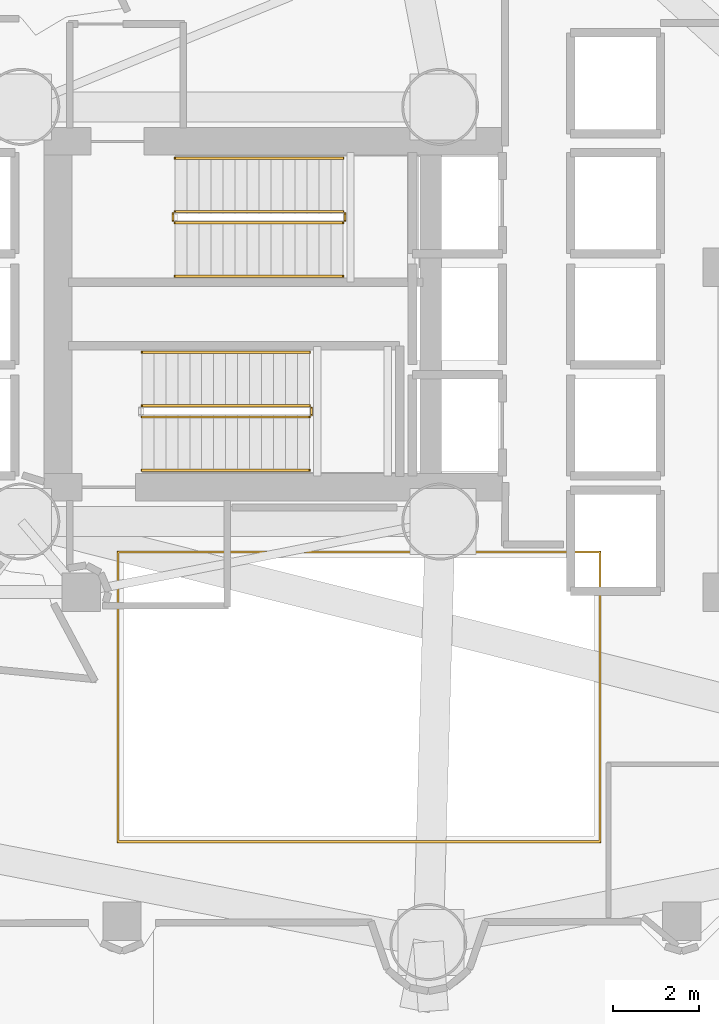
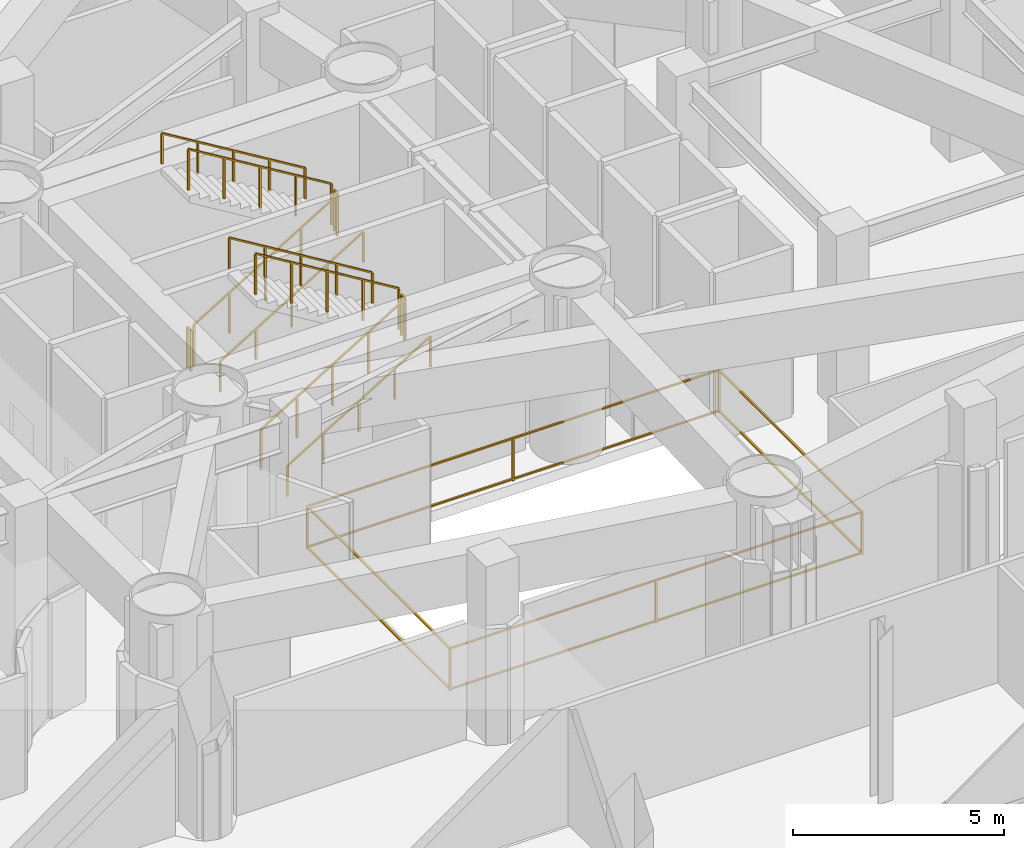
# One storey, part 37 of 40: 12 railings.
"""IFC4 building model written with IfcOpenShell, lengths in metres."""

import ifcopenshell
import ifcopenshell.guid

model = None  # the IFC model being written
_history = None  # IfcOwnerHistory: only IFC2X3 demands one
_inside = {}  # id of a spatial element -> (the spatial element, [elements in it])
_under = {}  # id of a project, library or spatial element -> (it, [spatial elements below it])
_declared = {}  # id of a project -> (the project, [libraries it declares])
_typed = {}  # id of a type object -> (the type object, [elements of that type])
_made_of = {}  # id of a material, layer set ... -> (it, [elements and type objects made of it])


def new_model(schema):
    """Start an empty IFC model of exactly this schema.

    Asked for "IFC4X3", IfcOpenShell would pick the latest addendum, in which some entities
    have other attributes; the version numbers below select the first issue.
    IFC2X3 requires an IfcOwnerHistory on every rooted entity: one is made here for all.
    """
    global model, _history
    if schema == "IFC4X3":
        model = ifcopenshell.file(schema_version=(4, 3, 0, 0))
    else:
        model = ifcopenshell.file(schema=schema)
    _inside.clear()
    _under.clear()
    _declared.clear()
    _typed.clear()
    _made_of.clear()
    _history = None
    if model.schema == "IFC2X3":
        org = make("IfcOrganization", Name="unknown")
        user = make(
            "IfcPersonAndOrganization",
            ThePerson=make("IfcPerson", FamilyName="unknown"),
            TheOrganization=org,
        )
        app = make(
            "IfcApplication",
            ApplicationDeveloper=org,
            Version="unknown",
            ApplicationFullName="unknown",
            ApplicationIdentifier="unknown",
        )
        _history = make(
            "IfcOwnerHistory",
            OwningUser=user,
            OwningApplication=app,
            ChangeAction="ADDED",
            CreationDate=0,
        )
    return model


def make(cls, **values):
    """One entity of the class cls with the attributes given. An attribute that is None is left unset."""
    return model.create_entity(
        cls, **{name: value for name, value in values.items() if value is not None}
    )


def rooted(cls, **values):
    """An entity with a GlobalId (a new one), such as an element, a storey or a relation."""
    return make(cls, GlobalId=ifcopenshell.guid.new(), OwnerHistory=_history, **values)


def si_unit(unit_type, name, prefix=None):
    """IfcSIUnit, for example si_unit("LENGTHUNIT", "METRE", prefix="MILLI")."""
    return make("IfcSIUnit", UnitType=unit_type, Prefix=prefix, Name=name)


def assignment(units):
    """IfcUnitAssignment: the units of a project."""
    return None if units is None else make("IfcUnitAssignment", Units=units)


def point(xyz):
    """IfcCartesianPoint."""
    return None if xyz is None else make("IfcCartesianPoint", Coordinates=xyz)


def direction(xyz):
    """IfcDirection."""
    return None if xyz is None else make("IfcDirection", DirectionRatios=xyz)


def frame(location, z_axis=None, x_axis=None):
    """IfcAxis2Placement3D, a coordinate frame: its origin and axes. An axis left out is left unset."""
    return make(
        "IfcAxis2Placement3D",
        Location=point(location),
        Axis=direction(z_axis),
        RefDirection=direction(x_axis),
    )


def frame_2d(location, x_axis=None):
    """IfcAxis2Placement2D, a coordinate frame in the plane: its origin and x axis."""
    return make(
        "IfcAxis2Placement2D", Location=point(location), RefDirection=direction(x_axis)
    )


def origin():
    """The frame at (0, 0, 0) with its axes left unset."""
    return frame((0.0, 0.0, 0.0))


def origin_2d():
    """The frame at (0, 0) in the plane with its x axis left unset."""
    return frame_2d((0.0, 0.0))


def place(relative_to, where):
    """IfcLocalPlacement: puts the frame where relative to a parent placement (None: the world)."""
    return make(
        "IfcLocalPlacement", PlacementRelTo=relative_to, RelativePlacement=where
    )


def context(
    kind, dimensions, precision=None, world=None, true_north=None, identifier=None
):
    """IfcGeometricRepresentationContext, for example the 3D "Model" context."""
    return make(
        "IfcGeometricRepresentationContext",
        ContextIdentifier=identifier,
        ContextType=kind,
        CoordinateSpaceDimension=dimensions,
        Precision=precision,
        WorldCoordinateSystem=world,
        TrueNorth=true_north,
    )


def subcontext(parent, identifier, kind, view, scale=None):
    """IfcGeometricRepresentationSubContext, for example "Body" below "Model"."""
    return make(
        "IfcGeometricRepresentationSubContext",
        ContextIdentifier=identifier,
        ContextType=kind,
        ParentContext=parent,
        TargetScale=scale,
        TargetView=view,
    )


def project(units=None, contexts=None):
    """IfcProject with its units and contexts."""
    return rooted(
        "IfcProject",
        Name="project",
        RepresentationContexts=contexts,
        UnitsInContext=assignment(units),
    )


def spatial(cls, under=None, at=None, **own):
    """A site, building, storey or space (cls), placed at a placement, below another one or the project."""
    s = rooted(cls, ObjectPlacement=at, **own)
    if under is not None:
        _under.setdefault(under.id(), (under, []))[1].append(s)
    return s


def profile(cls, at=None, kind="AREA", **sizes):
    """A parametric profile (cls). Its sizes go by their IFC names, for example OverallWidth=200.0."""
    return make(cls, ProfileType=kind, Position=at, **sizes)


def rectangle(**sizes):
    """IfcRectangleProfileDef."""
    return profile("IfcRectangleProfileDef", **sizes)


def extrude(swept, where, along, depth):
    """IfcExtrudedAreaSolid: the profile swept, set in the frame where, extruded along a direction by depth."""
    return make(
        "IfcExtrudedAreaSolid",
        SweptArea=swept,
        Position=where,
        ExtrudedDirection=direction(along),
        Depth=depth,
    )


def shape(context_of_items, identifier, shape_type, items):
    """IfcShapeRepresentation: the items that make up one representation, for example the "Body"."""
    return make(
        "IfcShapeRepresentation",
        ContextOfItems=context_of_items,
        RepresentationIdentifier=identifier,
        RepresentationType=shape_type,
        Items=items,
    )


def material(Name=None, Category=None):
    """IfcMaterial."""
    return make("IfcMaterial", Name=Name, Category=Category)


def made_of(thing, what):
    """Note that an element or type object is made of a material, layer set ...; save() writes the relation."""
    if what is not None:
        _made_of.setdefault(what.id(), (what, []))[1].append(thing)
    return thing


def type_object(cls, material=None, **own):
    """A type object (cls), such as IfcWallType, which elements share."""
    return made_of(rooted(cls, **own), material)


def element(
    cls,
    number,
    at=None,
    inside=None,
    cuts=None,
    type_object=None,
    material=None,
    context=None,
    identifier="Body",
    shape_type=None,
    held_by="IfcProductDefinitionShape",
    body=None,
    shapes=None,
    **own,
):
    """One element of the class cls, such as IfcWall. Its Tag is "e" and its number.

    at: its placement. inside: the storey or other place that contains it. cuts: it is an
    opening in that element (IfcRelVoidsElement). A single representation is given by context,
    identifier, shape_type and body (its items); several are given by shapes. held_by: the class
    of the entity that holds the representations. save() writes the other relations.
    """
    e = rooted(cls, Tag="e%d" % number, ObjectPlacement=at, **own)
    if body is not None:
        shapes = [shape(context, identifier, shape_type, body)]
    if shapes is not None:
        e.Representation = make(held_by, Representations=shapes)
    if inside is not None:
        _inside.setdefault(inside.id(), (inside, []))[1].append(e)
    if cuts is not None:
        rooted(
            "IfcRelVoidsElement", RelatingBuildingElement=cuts, RelatedOpeningElement=e
        )
    if type_object is not None:
        _typed.setdefault(type_object.id(), (type_object, []))[1].append(e)
    return made_of(e, material)


def aggregate(whole, parts):
    """IfcRelAggregates: a whole, such as a stair, and the parts it consists of."""
    return rooted("IfcRelAggregates", RelatingObject=whole, RelatedObjects=parts)


def save(model, path):
    """Write the relations noted so far, then the file.

    IfcRelAggregates (storeys below a building ...), IfcRelContainedInSpatialStructure (elements
    in a storey), IfcRelDefinesByType, IfcRelAssociatesMaterial and IfcRelDeclares: one each for
    every whole, place, type object, material and project.
    """
    for whole, parts in _under.values():
        aggregate(whole, parts)
    for where, things in _inside.values():
        rooted(
            "IfcRelContainedInSpatialStructure",
            RelatedElements=things,
            RelatingStructure=where,
        )
    for kind, things in _typed.values():
        rooted("IfcRelDefinesByType", RelatedObjects=things, RelatingType=kind)
    for what, things in _made_of.values():
        rooted("IfcRelAssociatesMaterial", RelatedObjects=things, RelatingMaterial=what)
    for by, libraries in _declared.values():
        rooted("IfcRelDeclares", RelatingContext=by, RelatedDefinitions=libraries)
    model.write(path)


model = new_model("IFC4")

# Units and contexts
model_context = context("Model", 3, precision=1e-05, world=origin(), true_north=direction((0.0, 1.0)))
body_context = subcontext(model_context, "Body", "Model", "MODEL_VIEW")
ifc_project = project(units=[si_unit("LENGTHUNIT", "METRE"), si_unit("AREAUNIT", "SQUARE_METRE"), si_unit("VOLUMEUNIT", "CUBIC_METRE"), si_unit("PLANEANGLEUNIT", "RADIAN"), si_unit("MASSUNIT", "GRAM", prefix="KILO")], contexts=[model_context])

# Site, building, storey
site_placement = place(None, origin())
site = spatial("IfcSite", under=ifc_project, at=site_placement, CompositionType="ELEMENT")
building_placement = place(site_placement, origin())
building = spatial("IfcBuilding", under=site, at=building_placement, Name="Qianvela Tower", CompositionType="ELEMENT")
storey_placement = place(building_placement, frame((0.0, 0.0, 20.60009765625)))
storey = spatial("IfcBuildingStorey", under=building, at=storey_placement, Name="L04", CompositionType="ELEMENT", Elevation=20.60009765625)

# Railings
ifc_material_1 = material(Name="Laminated Safety Glass and Stainless Steel 316", Category="steel")
railing_type_1 = type_object("IfcRailingType", Name="RL-ATRIUM-GUARD-1250", PredefinedType="GUARDRAIL", material=ifc_material_1)
railing_1_placement = place(storey_placement, frame((30.860107421875, 16.360107421875, 0.0)))
element("IfcRailing", 1, at=railing_1_placement, inside=storey, type_object=railing_type_1, Name="L04 Atrium Edge Guardrail 1", PredefinedType="GUARDRAIL", context=body_context, shape_type="SweptSolid", body=[
    extrude(rectangle(XDim=0.050048828125, YDim=0.0400390625, at=origin_2d()), frame((0.0, 0.0, 1.22998046875), z_axis=(0.0, 1.0, 0.0), x_axis=(-1.0, 0.0, 0.0)), (0.0, 0.0, 1.0), 6.77978515625),
    extrude(rectangle(XDim=0.050048828125, YDim=0.0400390625, at=origin_2d()), frame((0.0, 0.0, 0.050048828125), z_axis=(0.0, 1.0, 0.0), x_axis=(-1.0, 0.0, 0.0)), (0.0, 0.0, 1.0), 6.77978515625),
    extrude(rectangle(XDim=0.050048828125, YDim=0.0400390625, at=origin_2d()), frame((0.0, 6.77978515625, 1.22998046875), z_axis=(1.0, 0.0, 0.0), x_axis=(0.0, 1.0, 0.0)), (0.0, 0.0, 1.0), 11.27978515625),
    extrude(rectangle(XDim=0.050048828125, YDim=0.0400390625, at=origin_2d()), frame((0.0, 6.77978515625, 0.050048828125), z_axis=(1.0, 0.0, 0.0), x_axis=(0.0, 1.0, 0.0)), (0.0, 0.0, 1.0), 11.27978515625),
    extrude(rectangle(XDim=0.050048828125, YDim=0.0400390625, at=origin_2d()), frame((11.27978515625, 6.77978515625, 1.22998046875), z_axis=(0.0, -1.0, 0.0), x_axis=(1.0, 0.0, 0.0)), (0.0, 0.0, 1.0), 6.77978515625),
    extrude(rectangle(XDim=0.050048828125, YDim=0.0400390625, at=origin_2d()), frame((11.27978515625, 6.77978515625, 0.050048828125), z_axis=(0.0, -1.0, 0.0), x_axis=(1.0, 0.0, 0.0)), (0.0, 0.0, 1.0), 6.77978515625),
    extrude(rectangle(XDim=0.050048828125, YDim=0.0400390625, at=origin_2d()), frame((11.27978515625, 0.0, 1.22998046875), z_axis=(-1.0, 0.0, 0.0), x_axis=(0.0, -1.0, 0.0)), (0.0, 0.0, 1.0), 11.27978515625),
    extrude(rectangle(XDim=0.050048828125, YDim=0.0400390625, at=origin_2d()), frame((11.27978515625, 0.0, 0.050048828125), z_axis=(-1.0, 0.0, 0.0), x_axis=(0.0, -1.0, 0.0)), (0.0, 0.0, 1.0), 11.27978515625),
    extrude(rectangle(XDim=0.050048828125, YDim=0.050048828125, at=origin_2d()), origin(), (0.0, 0.0, 1.0), 1.2099609375),
    extrude(rectangle(XDim=0.050048828125, YDim=0.050048828125, at=origin_2d()), frame((0.0, 6.77978515625, 0.0)), (0.0, 0.0, 1.0), 1.2099609375),
    extrude(rectangle(XDim=0.050048828125, YDim=0.050048828125, at=origin_2d()), frame((5.639892578125, 6.77978515625, 0.0)), (0.0, 0.0, 1.0), 1.2099609375),
    extrude(rectangle(XDim=0.050048828125, YDim=0.050048828125, at=origin_2d()), frame((11.27978515625, 6.77978515625, 0.0)), (0.0, 0.0, 1.0), 1.2099609375),
    extrude(rectangle(XDim=0.050048828125, YDim=0.050048828125, at=origin_2d()), frame((11.27978515625, 0.0, 0.0)), (0.0, 0.0, 1.0), 1.2099609375),
    extrude(rectangle(XDim=0.050048828125, YDim=0.050048828125, at=origin_2d()), frame((5.639892578125, 0.0, 0.0)), (0.0, 0.0, 1.0), 1.2099609375),
])
ifc_material_2 = material(Name="Painted Tubular Steel Q355B", Category="steel")
railing_type_2 = type_object("IfcRailingType", Name="RL-STAIR-GUARD-1200", PredefinedType="GUARDRAIL", material=ifc_material_2)
railing_2_placement = place(storey_placement, frame((32.199951171875, 30.840087890625, 0.169921875)))
element("IfcRailing", 2, at=railing_2_placement, inside=storey, type_object=railing_type_2, Name="L04 ST-1 stair guard 1", PredefinedType="GUARDRAIL", context=body_context, shape_type="SweptSolid", body=[
    extrude(rectangle(XDim=0.050048828125, YDim=0.0400390625, at=origin_2d()), frame((0.0, 0.0, 1.179931640625), z_axis=(0.854808600491, 0.0, 0.518943403973), x_axis=(0.0, 1.0, 0.0)), (0.0, 0.0, 1.0), 4.5859375),
    extrude(rectangle(XDim=0.050048828125, YDim=0.050048828125, at=origin_2d()), origin(), (0.0, 0.0, 1.0), 1.159912109375),
    extrude(rectangle(XDim=0.050048828125, YDim=0.050048828125, at=origin_2d()), frame((0.97998046875, 0.0, 0.594970703125)), (0.0, 0.0, 1.0), 1.159912109375),
    extrude(rectangle(XDim=0.050048828125, YDim=0.050048828125, at=origin_2d()), frame((1.9599609375, 0.0, 1.18994140625)), (0.0, 0.0, 1.0), 1.159912109375),
    extrude(rectangle(XDim=0.050048828125, YDim=0.050048828125, at=origin_2d()), frame((2.940185546875, 0.0, 1.784912109375)), (0.0, 0.0, 1.0), 1.159912109375),
    extrude(rectangle(XDim=0.050048828125, YDim=0.050048828125, at=origin_2d()), frame((3.920166015625, 0.0, 2.3798828125)), (0.0, 0.0, 1.0), 1.159912109375),
])
railing_3_placement = place(storey_placement, frame((36.169921875, 30.889892578125, 2.5498046875)))
element("IfcRailing", 3, at=railing_3_placement, inside=storey, type_object=railing_type_2, Name="L04 ST-1 stair guard 2", PredefinedType="GUARDRAIL", context=body_context, shape_type="SweptSolid", body=[
    extrude(rectangle(XDim=0.050048828125, YDim=0.0400390625, at=origin_2d()), frame((0.0, 0.0, 1.179931640625), z_axis=(0.0, 1.0, 0.0), x_axis=(-1.0, 0.0, 0.0)), (0.0, 0.0, 1.0), 0.16015625),
    extrude(rectangle(XDim=0.050048828125, YDim=0.050048828125, at=origin_2d()), origin(), (0.0, 0.0, 1.0), 1.159912109375),
    extrude(rectangle(XDim=0.050048828125, YDim=0.050048828125, at=origin_2d()), frame((0.0, 0.16015625, 0.0)), (0.0, 0.0, 1.0), 1.159912109375),
])
railing_4_placement = place(storey_placement, frame((36.1201171875, 31.10009765625, 2.719970703125)))
element("IfcRailing", 4, at=railing_4_placement, inside=storey, type_object=railing_type_2, Name="L04 ST-1 stair guard 3", PredefinedType="GUARDRAIL", context=body_context, shape_type="SweptSolid", body=[
    extrude(rectangle(XDim=0.050048828125, YDim=0.0400390625, at=origin_2d()), frame((0.0, 0.0, 1.179931640625), z_axis=(-0.854808600491, 0.0, 0.518943403973), x_axis=(0.0, -1.0, 0.0)), (0.0, 0.0, 1.0), 4.5859375),
    extrude(rectangle(XDim=0.050048828125, YDim=0.050048828125, at=origin_2d()), origin(), (0.0, 0.0, 1.0), 1.159912109375),
    extrude(rectangle(XDim=0.050048828125, YDim=0.050048828125, at=origin_2d()), frame((-0.97998046875, 0.0, 0.594970703125)), (0.0, 0.0, 1.0), 1.159912109375),
    extrude(rectangle(XDim=0.050048828125, YDim=0.050048828125, at=origin_2d()), frame((-1.9599609375, 0.0, 1.18994140625)), (0.0, 0.0, 1.0), 1.159912109375),
    extrude(rectangle(XDim=0.050048828125, YDim=0.050048828125, at=origin_2d()), frame((-2.940185546875, 0.0, 1.784912109375)), (0.0, 0.0, 1.0), 1.159912109375),
    extrude(rectangle(XDim=0.050048828125, YDim=0.050048828125, at=origin_2d()), frame((-3.920166015625, 0.0, 2.3798828125)), (0.0, 0.0, 1.0), 1.159912109375),
])
railing_5_placement = place(storey_placement, frame((32.14990234375, 30.889892578125, 0.0)))
element("IfcRailing", 5, at=railing_5_placement, inside=storey, type_object=railing_type_2, Name="L04 ST-1 stair guard 4", PredefinedType="GUARDRAIL", context=body_context, shape_type="SweptSolid", body=[
    extrude(rectangle(XDim=0.050048828125, YDim=0.0400390625, at=origin_2d()), frame((0.0, 0.0, 1.179931640625), z_axis=(0.0, 1.0, 0.0), x_axis=(-1.0, 0.0, 0.0)), (0.0, 0.0, 1.0), 0.16015625),
    extrude(rectangle(XDim=0.050048828125, YDim=0.050048828125, at=origin_2d()), origin(), (0.0, 0.0, 1.0), 1.159912109375),
    extrude(rectangle(XDim=0.050048828125, YDim=0.050048828125, at=origin_2d()), frame((0.0, 0.16015625, 0.0)), (0.0, 0.0, 1.0), 1.159912109375),
])
railing_6_placement = place(storey_placement, frame((31.419921875, 26.300048828125, 0.169921875)))
element("IfcRailing", 6, at=railing_6_placement, inside=storey, type_object=railing_type_2, Name="L04 ST-2 stair guard 1", PredefinedType="GUARDRAIL", context=body_context, shape_type="SweptSolid", body=[
    extrude(rectangle(XDim=0.050048828125, YDim=0.0400390625, at=origin_2d()), frame((0.0, 0.0, 1.179931640625), z_axis=(0.854808600491, 0.0, 0.518943403973), x_axis=(0.0, 1.0, 0.0)), (0.0, 0.0, 1.0), 4.5859375),
    extrude(rectangle(XDim=0.050048828125, YDim=0.050048828125, at=origin_2d()), origin(), (0.0, 0.0, 1.0), 1.159912109375),
    extrude(rectangle(XDim=0.050048828125, YDim=0.050048828125, at=origin_2d()), frame((0.97998046875, 0.0, 0.594970703125)), (0.0, 0.0, 1.0), 1.159912109375),
    extrude(rectangle(XDim=0.050048828125, YDim=0.050048828125, at=origin_2d()), frame((1.9599609375, 0.0, 1.18994140625)), (0.0, 0.0, 1.0), 1.159912109375),
    extrude(rectangle(XDim=0.050048828125, YDim=0.050048828125, at=origin_2d()), frame((2.940185546875, 0.0, 1.784912109375)), (0.0, 0.0, 1.0), 1.159912109375),
    extrude(rectangle(XDim=0.050048828125, YDim=0.050048828125, at=origin_2d()), frame((3.920166015625, 0.0, 2.3798828125)), (0.0, 0.0, 1.0), 1.159912109375),
])
railing_7_placement = place(storey_placement, frame((35.389892578125, 26.35009765625, 2.5498046875)))
element("IfcRailing", 7, at=railing_7_placement, inside=storey, type_object=railing_type_2, Name="L04 ST-2 stair guard 2", PredefinedType="GUARDRAIL", context=body_context, shape_type="SweptSolid", body=[
    extrude(rectangle(XDim=0.050048828125, YDim=0.0400390625, at=origin_2d()), frame((0.0, 0.0, 1.179931640625), z_axis=(0.0, 1.0, 0.0), x_axis=(-1.0, 0.0, 0.0)), (0.0, 0.0, 1.0), 0.159912109375),
    extrude(rectangle(XDim=0.050048828125, YDim=0.050048828125, at=origin_2d()), origin(), (0.0, 0.0, 1.0), 1.159912109375),
    extrude(rectangle(XDim=0.050048828125, YDim=0.050048828125, at=origin_2d()), frame((0.0, 0.159912109375, 0.0)), (0.0, 0.0, 1.0), 1.159912109375),
])
railing_8_placement = place(storey_placement, frame((35.340087890625, 26.56005859375, 2.719970703125)))
element("IfcRailing", 8, at=railing_8_placement, inside=storey, type_object=railing_type_2, Name="L04 ST-2 stair guard 3", PredefinedType="GUARDRAIL", context=body_context, shape_type="SweptSolid", body=[
    extrude(rectangle(XDim=0.050048828125, YDim=0.0400390625, at=origin_2d()), frame((0.0, 0.0, 1.179931640625), z_axis=(-0.854808600491, 0.0, 0.518943403973), x_axis=(0.0, -1.0, 0.0)), (0.0, 0.0, 1.0), 4.5859375),
    extrude(rectangle(XDim=0.050048828125, YDim=0.050048828125, at=origin_2d()), origin(), (0.0, 0.0, 1.0), 1.159912109375),
    extrude(rectangle(XDim=0.050048828125, YDim=0.050048828125, at=origin_2d()), frame((-0.97998046875, 0.0, 0.594970703125)), (0.0, 0.0, 1.0), 1.159912109375),
    extrude(rectangle(XDim=0.050048828125, YDim=0.050048828125, at=origin_2d()), frame((-1.9599609375, 0.0, 1.18994140625)), (0.0, 0.0, 1.0), 1.159912109375),
    extrude(rectangle(XDim=0.050048828125, YDim=0.050048828125, at=origin_2d()), frame((-2.940185546875, 0.0, 1.784912109375)), (0.0, 0.0, 1.0), 1.159912109375),
    extrude(rectangle(XDim=0.050048828125, YDim=0.050048828125, at=origin_2d()), frame((-3.920166015625, 0.0, 2.3798828125)), (0.0, 0.0, 1.0), 1.159912109375),
])
ifc_material_3 = material(Name="Brushed Stainless Steel 304", Category="steel")
railing_type_3 = type_object("IfcRailingType", Name="RL-STAIR-HANDRAIL-900", PredefinedType="HANDRAIL", material=ifc_material_3)
railing_9_placement = place(storey_placement, frame((32.199951171875, 29.590087890625, 0.169921875)))
element("IfcRailing", 9, at=railing_9_placement, inside=storey, type_object=railing_type_3, Name="L04 ST-1 stair handrail 1", PredefinedType="HANDRAIL", context=body_context, shape_type="SweptSolid", body=[
    extrude(rectangle(XDim=0.050048828125, YDim=0.0400390625, at=origin_2d()), frame((0.0, 0.0, 0.8798828125), z_axis=(0.854808600491, 0.0, 0.518943403973), x_axis=(0.0, 1.0, 0.0)), (0.0, 0.0, 1.0), 4.5859375),
    extrude(rectangle(XDim=0.050048828125, YDim=0.050048828125, at=origin_2d()), origin(), (0.0, 0.0, 1.0), 0.85986328125),
    extrude(rectangle(XDim=0.050048828125, YDim=0.050048828125, at=origin_2d()), frame((0.97998046875, 0.0, 0.594970703125)), (0.0, 0.0, 1.0), 0.85986328125),
    extrude(rectangle(XDim=0.050048828125, YDim=0.050048828125, at=origin_2d()), frame((1.9599609375, 0.0, 1.18994140625)), (0.0, 0.0, 1.0), 0.85986328125),
    extrude(rectangle(XDim=0.050048828125, YDim=0.050048828125, at=origin_2d()), frame((2.940185546875, 0.0, 1.784912109375)), (0.0, 0.0, 1.0), 0.85986328125),
    extrude(rectangle(XDim=0.050048828125, YDim=0.050048828125, at=origin_2d()), frame((3.920166015625, 0.0, 2.3798828125)), (0.0, 0.0, 1.0), 0.85986328125),
])
railing_10_placement = place(storey_placement, frame((36.1201171875, 32.35009765625, 2.719970703125)))
element("IfcRailing", 10, at=railing_10_placement, inside=storey, type_object=railing_type_3, Name="L04 ST-1 stair handrail 2", PredefinedType="HANDRAIL", context=body_context, shape_type="SweptSolid", body=[
    extrude(rectangle(XDim=0.050048828125, YDim=0.0400390625, at=origin_2d()), frame((0.0, 0.0, 0.8798828125), z_axis=(-0.854808600491, 0.0, 0.518943403973), x_axis=(0.0, -1.0, 0.0)), (0.0, 0.0, 1.0), 4.5859375),
    extrude(rectangle(XDim=0.050048828125, YDim=0.050048828125, at=origin_2d()), origin(), (0.0, 0.0, 1.0), 0.85986328125),
    extrude(rectangle(XDim=0.050048828125, YDim=0.050048828125, at=origin_2d()), frame((-0.97998046875, 0.0, 0.594970703125)), (0.0, 0.0, 1.0), 0.85986328125),
    extrude(rectangle(XDim=0.050048828125, YDim=0.050048828125, at=origin_2d()), frame((-1.9599609375, 0.0, 1.18994140625)), (0.0, 0.0, 1.0), 0.85986328125),
    extrude(rectangle(XDim=0.050048828125, YDim=0.050048828125, at=origin_2d()), frame((-2.940185546875, 0.0, 1.784912109375)), (0.0, 0.0, 1.0), 0.85986328125),
    extrude(rectangle(XDim=0.050048828125, YDim=0.050048828125, at=origin_2d()), frame((-3.920166015625, 0.0, 2.3798828125)), (0.0, 0.0, 1.0), 0.85986328125),
])
railing_11_placement = place(storey_placement, frame((31.419921875, 25.050048828125, 0.169921875)))
element("IfcRailing", 11, at=railing_11_placement, inside=storey, type_object=railing_type_3, Name="L04 ST-2 stair handrail 1", PredefinedType="HANDRAIL", context=body_context, shape_type="SweptSolid", body=[
    extrude(rectangle(XDim=0.050048828125, YDim=0.0400390625, at=origin_2d()), frame((0.0, 0.0, 0.8798828125), z_axis=(0.854808600491, 0.0, 0.518943403973), x_axis=(0.0, 1.0, 0.0)), (0.0, 0.0, 1.0), 4.5859375),
    extrude(rectangle(XDim=0.050048828125, YDim=0.050048828125, at=origin_2d()), origin(), (0.0, 0.0, 1.0), 0.85986328125),
    extrude(rectangle(XDim=0.050048828125, YDim=0.050048828125, at=origin_2d()), frame((0.97998046875, 0.0, 0.594970703125)), (0.0, 0.0, 1.0), 0.85986328125),
    extrude(rectangle(XDim=0.050048828125, YDim=0.050048828125, at=origin_2d()), frame((1.9599609375, 0.0, 1.18994140625)), (0.0, 0.0, 1.0), 0.85986328125),
    extrude(rectangle(XDim=0.050048828125, YDim=0.050048828125, at=origin_2d()), frame((2.940185546875, 0.0, 1.784912109375)), (0.0, 0.0, 1.0), 0.85986328125),
    extrude(rectangle(XDim=0.050048828125, YDim=0.050048828125, at=origin_2d()), frame((3.920166015625, 0.0, 2.3798828125)), (0.0, 0.0, 1.0), 0.85986328125),
])
railing_12_placement = place(storey_placement, frame((35.340087890625, 27.81005859375, 2.719970703125)))
element("IfcRailing", 12, at=railing_12_placement, inside=storey, type_object=railing_type_3, Name="L04 ST-2 stair handrail 2", PredefinedType="HANDRAIL", context=body_context, shape_type="SweptSolid", body=[
    extrude(rectangle(XDim=0.050048828125, YDim=0.0400390625, at=origin_2d()), frame((0.0, 0.0, 0.8798828125), z_axis=(-0.854808600491, 0.0, 0.518943403973), x_axis=(0.0, -1.0, 0.0)), (0.0, 0.0, 1.0), 4.5859375),
    extrude(rectangle(XDim=0.050048828125, YDim=0.050048828125, at=origin_2d()), origin(), (0.0, 0.0, 1.0), 0.85986328125),
    extrude(rectangle(XDim=0.050048828125, YDim=0.050048828125, at=origin_2d()), frame((-0.97998046875, 0.0, 0.594970703125)), (0.0, 0.0, 1.0), 0.85986328125),
    extrude(rectangle(XDim=0.050048828125, YDim=0.050048828125, at=origin_2d()), frame((-1.9599609375, 0.0, 1.18994140625)), (0.0, 0.0, 1.0), 0.85986328125),
    extrude(rectangle(XDim=0.050048828125, YDim=0.050048828125, at=origin_2d()), frame((-2.940185546875, 0.0, 1.784912109375)), (0.0, 0.0, 1.0), 0.85986328125),
    extrude(rectangle(XDim=0.050048828125, YDim=0.050048828125, at=origin_2d()), frame((-3.920166015625, 0.0, 2.3798828125)), (0.0, 0.0, 1.0), 0.85986328125),
])

save(model, "model.ifc")
